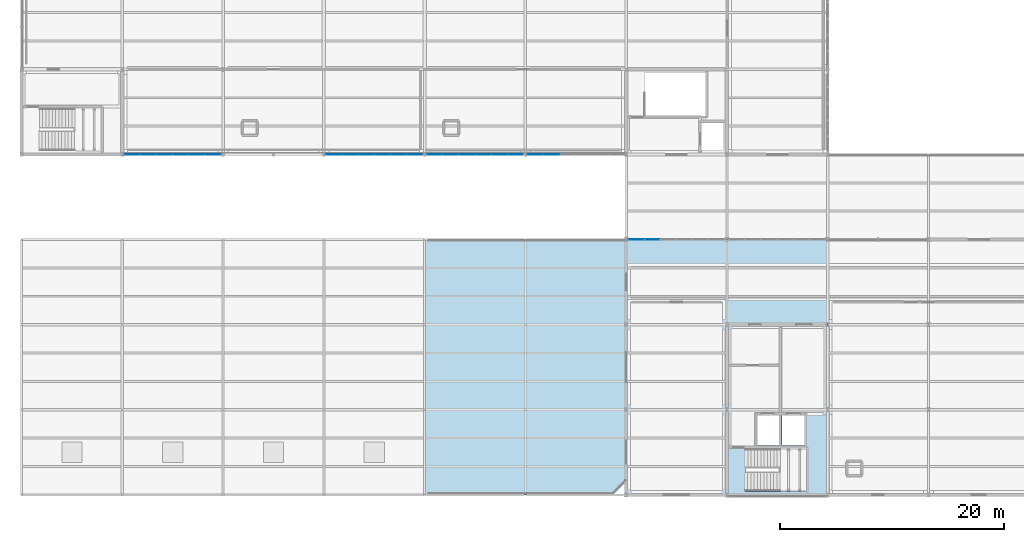
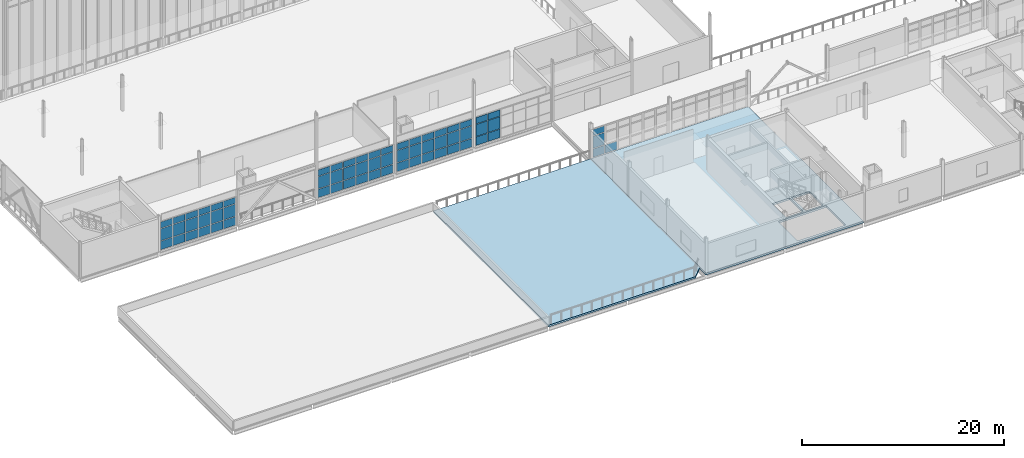
# One storey, part 123 of 166: 64 plates, 2 slabs, 5 elements without a shape of their own.
"""IFC4 building model written with IfcOpenShell, lengths in metres."""

from ifc_helpers import new_model, si_unit, direction, frame, origin, origin_2d, place, context, subcontext, project, spatial, polyline, rectangle, outline, extrude, material, layer, layer_set, type_object, element, aggregate, save


model = new_model("IFC4")

# Units and contexts
model_context = context("Model", 3, precision=1e-05, world=origin(), true_north=direction((0.0, 1.0)))
body_context = subcontext(model_context, "Body", "Model", "MODEL_VIEW")
ifc_project = project(units=[si_unit("LENGTHUNIT", "METRE"), si_unit("AREAUNIT", "SQUARE_METRE"), si_unit("VOLUMEUNIT", "CUBIC_METRE"), si_unit("PLANEANGLEUNIT", "RADIAN"), si_unit("MASSUNIT", "GRAM", prefix="KILO")], contexts=[model_context])

# Site, building, storey
site_placement = place(None, origin())
site = spatial("IfcSite", under=ifc_project, at=site_placement, CompositionType="ELEMENT")
building_placement = place(site_placement, origin())
building = spatial("IfcBuilding", under=site, at=building_placement, Name="Caisbarro Railhouse Central Library", CompositionType="ELEMENT")
storey_placement = place(building_placement, frame((0.0, 0.0, 9.360107421875)))
storey = spatial("IfcBuildingStorey", under=building, at=storey_placement, Name="L02", CompositionType="ELEMENT", Elevation=9.360107421875)

# Curtain wall, plates
ifc_material_1 = material(Name="Anodised architectural aluminium", Category="aluminium")
curtain_wall_type = type_object("IfcCurtainWallType", Name="CW-CW02", PredefinedType="NOTDEFINED", material=ifc_material_1)
curtain_wall_1_placement = place(storey_placement, origin())
curtain_wall_1 = element("IfcCurtainWall", 1, at=curtain_wall_1_placement, inside=storey, type_object=curtain_wall_type, Name="CW02 curtain wall L02 #58", PredefinedType="NOTDEFINED")
ifc_material_2 = material(Name="Double low-e laminated solar-control glass", Category="glass")
ifc_layer_1 = layer(ifc_material_2, 0.01806640625, Name="Double low-e laminated solar-control glass")
ifc_layer_set_1 = layer_set([ifc_layer_1], Name="Double low-e laminated solar-control glass")
plate_type_1 = type_object("IfcPlateType", Name="CWP-CP18", PredefinedType="CURTAIN_PANEL", material=ifc_layer_set_1)
plate_1_placement = place(storey_placement, frame((54.902099609375, 22.800048828125, 0.07470703125), z_axis=(0.0, 0.0, 1.0), x_axis=(1.0, 0.0, 0.0)))
plate_1 = element("IfcPlate", 2, at=plate_1_placement, type_object=plate_type_1, Name="CW02 panel 1.1", PredefinedType="CURTAIN_PANEL", context=body_context, shape_type="SweptSolid", body=[
    extrude(rectangle(XDim=1.334228515625, YDim=0.01806640625, at=origin_2d()), origin(), (0.0, 0.0, 1.0), 1.007568359375),
])
plate_2_placement = place(storey_placement, frame((54.902099609375, 22.800048828125, 1.1572265625), z_axis=(0.0, 0.0, 1.0), x_axis=(1.0, 0.0, 0.0)))
plate_2 = element("IfcPlate", 3, at=plate_2_placement, type_object=plate_type_1, Name="CW02 panel 1.2", PredefinedType="CURTAIN_PANEL", context=body_context, shape_type="SweptSolid", body=[
    extrude(rectangle(XDim=1.334228515625, YDim=0.01806640625, at=origin_2d()), origin(), (0.0, 0.0, 1.0), 1.465087890625),
])
plate_3_placement = place(storey_placement, frame((54.902099609375, 22.800048828125, 2.697265625), z_axis=(0.0, 0.0, 1.0), x_axis=(1.0, 0.0, 0.0)))
plate_3 = element("IfcPlate", 4, at=plate_3_placement, type_object=plate_type_1, Name="CW02 panel 1.3", PredefinedType="CURTAIN_PANEL", context=body_context, shape_type="SweptSolid", body=[
    extrude(rectangle(XDim=1.334228515625, YDim=0.01806640625, at=origin_2d()), origin(), (0.0, 0.0, 1.0), 0.737548828125),
])
plate_4_placement = place(storey_placement, frame((56.330078125, 22.800048828125, 0.07470703125), z_axis=(0.0, 0.0, 1.0), x_axis=(1.0, 0.0, 0.0)))
plate_4 = element("IfcPlate", 5, at=plate_4_placement, type_object=plate_type_1, Name="CW02 panel 2.1", PredefinedType="CURTAIN_PANEL", context=body_context, shape_type="SweptSolid", body=[
    extrude(rectangle(XDim=1.37158203125, YDim=0.01806640625, at=origin_2d()), origin(), (0.0, 0.0, 1.0), 1.007568359375),
])
aggregate(curtain_wall_1, [plate_1, plate_2, plate_3, plate_4])

curtain_wall_2_placement = place(storey_placement, origin())
curtain_wall_2 = element("IfcCurtainWall", 6, at=curtain_wall_2_placement, inside=storey, type_object=curtain_wall_type, Name="CW02 curtain wall L02 #44", PredefinedType="NOTDEFINED")
ifc_layer_2 = layer(ifc_material_2, 0.028076171875, Name="Double low-e laminated solar-control glass")
ifc_layer_set_2 = layer_set([ifc_layer_2], Name="Double low-e laminated solar-control glass")
plate_type_2 = type_object("IfcPlateType", Name="CWP-CP28", PredefinedType="CURTAIN_PANEL", material=ifc_layer_set_2)
plate_5_placement = place(storey_placement, frame((9.899658203125, 30.39990234375, 0.06494140625), z_axis=(0.0, 0.0, 1.0), x_axis=(1.0, 0.0, 0.0)))
plate_5 = element("IfcPlate", 7, at=plate_5_placement, type_object=plate_type_2, Name="CW02 panel 1.1", PredefinedType="CURTAIN_PANEL", context=body_context, shape_type="SweptSolid", body=[
    extrude(rectangle(XDim=1.34912109375, YDim=0.028076171875, at=origin_2d()), origin(), (0.0, 0.0, 1.0), 1.0224609375),
])
plate_6_placement = place(storey_placement, frame((9.899658203125, 30.39990234375, 1.15234375), z_axis=(0.0, 0.0, 1.0), x_axis=(1.0, 0.0, 0.0)))
plate_6 = element("IfcPlate", 8, at=plate_6_placement, type_object=plate_type_2, Name="CW02 panel 1.2", PredefinedType="CURTAIN_PANEL", context=body_context, shape_type="SweptSolid", body=[
    extrude(rectangle(XDim=1.34912109375, YDim=0.028076171875, at=origin_2d()), origin(), (0.0, 0.0, 1.0), 1.455078125),
])
plate_7_placement = place(storey_placement, frame((9.899658203125, 30.39990234375, 2.67236328125), z_axis=(0.0, 0.0, 1.0), x_axis=(1.0, 0.0, 0.0)))
plate_7 = element("IfcPlate", 9, at=plate_7_placement, type_object=plate_type_2, Name="CW02 panel 1.3", PredefinedType="CURTAIN_PANEL", context=body_context, shape_type="SweptSolid", body=[
    extrude(rectangle(XDim=1.34912109375, YDim=0.028076171875, at=origin_2d()), origin(), (0.0, 0.0, 1.0), 0.75244140625),
])
plate_8_placement = place(storey_placement, frame((11.330078125, 30.39990234375, 0.06494140625), z_axis=(0.0, 0.0, 1.0), x_axis=(1.0, 0.0, 0.0)))
plate_8 = element("IfcPlate", 10, at=plate_8_placement, type_object=plate_type_2, Name="CW02 panel 2.1", PredefinedType="CURTAIN_PANEL", context=body_context, shape_type="SweptSolid", body=[
    extrude(rectangle(XDim=1.381591796875, YDim=0.028076171875, at=origin_2d()), origin(), (0.0, 0.0, 1.0), 1.0224609375),
])
plate_9_placement = place(storey_placement, frame((11.330078125, 30.39990234375, 1.15234375), z_axis=(0.0, 0.0, 1.0), x_axis=(1.0, 0.0, 0.0)))
plate_9 = element("IfcPlate", 11, at=plate_9_placement, type_object=plate_type_2, Name="CW02 panel 2.2", PredefinedType="CURTAIN_PANEL", context=body_context, shape_type="SweptSolid", body=[
    extrude(rectangle(XDim=1.381591796875, YDim=0.028076171875, at=origin_2d()), origin(), (0.0, 0.0, 1.0), 1.455078125),
])
plate_10_placement = place(storey_placement, frame((11.330078125, 30.39990234375, 2.67236328125), z_axis=(0.0, 0.0, 1.0), x_axis=(1.0, 0.0, 0.0)))
plate_10 = element("IfcPlate", 12, at=plate_10_placement, type_object=plate_type_2, Name="CW02 panel 2.3", PredefinedType="CURTAIN_PANEL", context=body_context, shape_type="SweptSolid", body=[
    extrude(rectangle(XDim=1.381591796875, YDim=0.028076171875, at=origin_2d()), origin(), (0.0, 0.0, 1.0), 0.75244140625),
])
plate_11_placement = place(storey_placement, frame((12.776611328125, 30.39990234375, 0.06494140625), z_axis=(0.0, 0.0, 1.0), x_axis=(1.0, 0.0, 0.0)))
plate_11 = element("IfcPlate", 13, at=plate_11_placement, type_object=plate_type_2, Name="CW02 panel 3.1", PredefinedType="CURTAIN_PANEL", context=body_context, shape_type="SweptSolid", body=[
    extrude(rectangle(XDim=1.381591796875, YDim=0.028076171875, at=origin_2d()), origin(), (0.0, 0.0, 1.0), 1.0224609375),
])
plate_12_placement = place(storey_placement, frame((12.776611328125, 30.39990234375, 1.15234375), z_axis=(0.0, 0.0, 1.0), x_axis=(1.0, 0.0, 0.0)))
plate_12 = element("IfcPlate", 14, at=plate_12_placement, type_object=plate_type_2, Name="CW02 panel 3.2", PredefinedType="CURTAIN_PANEL", context=body_context, shape_type="SweptSolid", body=[
    extrude(rectangle(XDim=1.381591796875, YDim=0.028076171875, at=origin_2d()), origin(), (0.0, 0.0, 1.0), 1.455078125),
])
plate_13_placement = place(storey_placement, frame((12.776611328125, 30.39990234375, 2.67236328125), z_axis=(0.0, 0.0, 1.0), x_axis=(1.0, 0.0, 0.0)))
plate_13 = element("IfcPlate", 15, at=plate_13_placement, type_object=plate_type_2, Name="CW02 panel 3.3", PredefinedType="CURTAIN_PANEL", context=body_context, shape_type="SweptSolid", body=[
    extrude(rectangle(XDim=1.381591796875, YDim=0.028076171875, at=origin_2d()), origin(), (0.0, 0.0, 1.0), 0.75244140625),
])
plate_14_placement = place(storey_placement, frame((14.223388671875, 30.39990234375, 0.06494140625), z_axis=(0.0, 0.0, 1.0), x_axis=(1.0, 0.0, 0.0)))
plate_14 = element("IfcPlate", 16, at=plate_14_placement, type_object=plate_type_2, Name="CW02 panel 4.1", PredefinedType="CURTAIN_PANEL", context=body_context, shape_type="SweptSolid", body=[
    extrude(rectangle(XDim=1.381591796875, YDim=0.028076171875, at=origin_2d()), origin(), (0.0, 0.0, 1.0), 1.0224609375),
])
plate_15_placement = place(storey_placement, frame((14.223388671875, 30.39990234375, 1.15234375), z_axis=(0.0, 0.0, 1.0), x_axis=(1.0, 0.0, 0.0)))
plate_15 = element("IfcPlate", 17, at=plate_15_placement, type_object=plate_type_2, Name="CW02 panel 4.2", PredefinedType="CURTAIN_PANEL", context=body_context, shape_type="SweptSolid", body=[
    extrude(rectangle(XDim=1.381591796875, YDim=0.028076171875, at=origin_2d()), origin(), (0.0, 0.0, 1.0), 1.455078125),
])
plate_16_placement = place(storey_placement, frame((14.223388671875, 30.39990234375, 2.67236328125), z_axis=(0.0, 0.0, 1.0), x_axis=(1.0, 0.0, 0.0)))
plate_16 = element("IfcPlate", 18, at=plate_16_placement, type_object=plate_type_2, Name="CW02 panel 4.3", PredefinedType="CURTAIN_PANEL", context=body_context, shape_type="SweptSolid", body=[
    extrude(rectangle(XDim=1.381591796875, YDim=0.028076171875, at=origin_2d()), origin(), (0.0, 0.0, 1.0), 0.75244140625),
])
plate_17_placement = place(storey_placement, frame((15.669921875, 30.39990234375, 0.06494140625), z_axis=(0.0, 0.0, 1.0), x_axis=(1.0, 0.0, 0.0)))
plate_17 = element("IfcPlate", 19, at=plate_17_placement, type_object=plate_type_2, Name="CW02 panel 5.1", PredefinedType="CURTAIN_PANEL", context=body_context, shape_type="SweptSolid", body=[
    extrude(rectangle(XDim=1.381591796875, YDim=0.028076171875, at=origin_2d()), origin(), (0.0, 0.0, 1.0), 1.0224609375),
])
plate_18_placement = place(storey_placement, frame((15.669921875, 30.39990234375, 1.15234375), z_axis=(0.0, 0.0, 1.0), x_axis=(1.0, 0.0, 0.0)))
plate_18 = element("IfcPlate", 20, at=plate_18_placement, type_object=plate_type_2, Name="CW02 panel 5.2", PredefinedType="CURTAIN_PANEL", context=body_context, shape_type="SweptSolid", body=[
    extrude(rectangle(XDim=1.381591796875, YDim=0.028076171875, at=origin_2d()), origin(), (0.0, 0.0, 1.0), 1.455078125),
])
plate_19_placement = place(storey_placement, frame((15.669921875, 30.39990234375, 2.67236328125), z_axis=(0.0, 0.0, 1.0), x_axis=(1.0, 0.0, 0.0)))
plate_19 = element("IfcPlate", 21, at=plate_19_placement, type_object=plate_type_2, Name="CW02 panel 5.3", PredefinedType="CURTAIN_PANEL", context=body_context, shape_type="SweptSolid", body=[
    extrude(rectangle(XDim=1.381591796875, YDim=0.028076171875, at=origin_2d()), origin(), (0.0, 0.0, 1.0), 0.75244140625),
])
plate_20_placement = place(storey_placement, frame((17.100341796875, 30.39990234375, 0.06494140625), z_axis=(0.0, 0.0, 1.0), x_axis=(1.0, 0.0, 0.0)))
plate_20 = element("IfcPlate", 22, at=plate_20_placement, type_object=plate_type_2, Name="CW02 panel 6.1", PredefinedType="CURTAIN_PANEL", context=body_context, shape_type="SweptSolid", body=[
    extrude(rectangle(XDim=1.34912109375, YDim=0.028076171875, at=origin_2d()), origin(), (0.0, 0.0, 1.0), 1.0224609375),
])
plate_21_placement = place(storey_placement, frame((17.100341796875, 30.39990234375, 1.15234375), z_axis=(0.0, 0.0, 1.0), x_axis=(1.0, 0.0, 0.0)))
plate_21 = element("IfcPlate", 23, at=plate_21_placement, type_object=plate_type_2, Name="CW02 panel 6.2", PredefinedType="CURTAIN_PANEL", context=body_context, shape_type="SweptSolid", body=[
    extrude(rectangle(XDim=1.34912109375, YDim=0.028076171875, at=origin_2d()), origin(), (0.0, 0.0, 1.0), 1.455078125),
])
plate_22_placement = place(storey_placement, frame((17.100341796875, 30.39990234375, 2.67236328125), z_axis=(0.0, 0.0, 1.0), x_axis=(1.0, 0.0, 0.0)))
plate_22 = element("IfcPlate", 24, at=plate_22_placement, type_object=plate_type_2, Name="CW02 panel 6.3", PredefinedType="CURTAIN_PANEL", context=body_context, shape_type="SweptSolid", body=[
    extrude(rectangle(XDim=1.34912109375, YDim=0.028076171875, at=origin_2d()), origin(), (0.0, 0.0, 1.0), 0.75244140625),
])
aggregate(curtain_wall_2, [plate_5, plate_6, plate_7, plate_8, plate_9, plate_10, plate_11, plate_12, plate_13, plate_14, plate_15, plate_16, plate_17, plate_18, plate_19, plate_20, plate_21, plate_22])

curtain_wall_3_placement = place(storey_placement, origin())
curtain_wall_3 = element("IfcCurtainWall", 25, at=curtain_wall_3_placement, inside=storey, type_object=curtain_wall_type, Name="CW02 curtain wall L02 #45", PredefinedType="NOTDEFINED")
ifc_layer_3 = layer(ifc_material_2, 0.048095703125, Name="Double low-e laminated solar-control glass")
ifc_layer_set_3 = layer_set([ifc_layer_3], Name="Double low-e laminated solar-control glass")
plate_type_3 = type_object("IfcPlateType", Name="CWP-CP48", PredefinedType="CURTAIN_PANEL", material=ifc_layer_set_3)
plate_23_placement = place(storey_placement, frame((27.899658203125, 30.39990234375, 0.06494140625), z_axis=(0.0, 0.0, 1.0), x_axis=(1.0, 0.0, 0.0)))
plate_23 = element("IfcPlate", 26, at=plate_23_placement, type_object=plate_type_3, Name="CW02 panel 1.1", PredefinedType="CURTAIN_PANEL", context=body_context, shape_type="SweptSolid", body=[
    extrude(rectangle(XDim=1.34912109375, YDim=0.048095703125, at=origin_2d()), origin(), (0.0, 0.0, 1.0), 1.0224609375),
])
plate_24_placement = place(storey_placement, frame((27.899658203125, 30.39990234375, 1.15234375), z_axis=(0.0, 0.0, 1.0), x_axis=(1.0, 0.0, 0.0)))
plate_24 = element("IfcPlate", 27, at=plate_24_placement, type_object=plate_type_3, Name="CW02 panel 1.2", PredefinedType="CURTAIN_PANEL", context=body_context, shape_type="SweptSolid", body=[
    extrude(rectangle(XDim=1.34912109375, YDim=0.048095703125, at=origin_2d()), origin(), (0.0, 0.0, 1.0), 1.455078125),
])
plate_25_placement = place(storey_placement, frame((27.899658203125, 30.39990234375, 2.67236328125), z_axis=(0.0, 0.0, 1.0), x_axis=(1.0, 0.0, 0.0)))
plate_25 = element("IfcPlate", 28, at=plate_25_placement, type_object=plate_type_3, Name="CW02 panel 1.3", PredefinedType="CURTAIN_PANEL", context=body_context, shape_type="SweptSolid", body=[
    extrude(rectangle(XDim=1.34912109375, YDim=0.048095703125, at=origin_2d()), origin(), (0.0, 0.0, 1.0), 0.75244140625),
])
plate_26_placement = place(storey_placement, frame((29.330078125, 30.39990234375, 0.06494140625), z_axis=(0.0, 0.0, 1.0), x_axis=(1.0, 0.0, 0.0)))
plate_26 = element("IfcPlate", 29, at=plate_26_placement, type_object=plate_type_3, Name="CW02 panel 2.1", PredefinedType="CURTAIN_PANEL", context=body_context, shape_type="SweptSolid", body=[
    extrude(rectangle(XDim=1.381591796875, YDim=0.048095703125, at=origin_2d()), origin(), (0.0, 0.0, 1.0), 1.0224609375),
])
plate_27_placement = place(storey_placement, frame((29.330078125, 30.39990234375, 1.15234375), z_axis=(0.0, 0.0, 1.0), x_axis=(1.0, 0.0, 0.0)))
plate_27 = element("IfcPlate", 30, at=plate_27_placement, type_object=plate_type_3, Name="CW02 panel 2.2", PredefinedType="CURTAIN_PANEL", context=body_context, shape_type="SweptSolid", body=[
    extrude(rectangle(XDim=1.381591796875, YDim=0.048095703125, at=origin_2d()), origin(), (0.0, 0.0, 1.0), 1.455078125),
])
plate_28_placement = place(storey_placement, frame((29.330078125, 30.39990234375, 2.67236328125), z_axis=(0.0, 0.0, 1.0), x_axis=(1.0, 0.0, 0.0)))
plate_28 = element("IfcPlate", 31, at=plate_28_placement, type_object=plate_type_3, Name="CW02 panel 2.3", PredefinedType="CURTAIN_PANEL", context=body_context, shape_type="SweptSolid", body=[
    extrude(rectangle(XDim=1.381591796875, YDim=0.048095703125, at=origin_2d()), origin(), (0.0, 0.0, 1.0), 0.75244140625),
])
plate_29_placement = place(storey_placement, frame((30.776611328125, 30.39990234375, 0.06494140625), z_axis=(0.0, 0.0, 1.0), x_axis=(1.0, 0.0, 0.0)))
plate_29 = element("IfcPlate", 32, at=plate_29_placement, type_object=plate_type_3, Name="CW02 panel 3.1", PredefinedType="CURTAIN_PANEL", context=body_context, shape_type="SweptSolid", body=[
    extrude(rectangle(XDim=1.381591796875, YDim=0.048095703125, at=origin_2d()), origin(), (0.0, 0.0, 1.0), 1.0224609375),
])
plate_30_placement = place(storey_placement, frame((30.776611328125, 30.39990234375, 1.15234375), z_axis=(0.0, 0.0, 1.0), x_axis=(1.0, 0.0, 0.0)))
plate_30 = element("IfcPlate", 33, at=plate_30_placement, type_object=plate_type_3, Name="CW02 panel 3.2", PredefinedType="CURTAIN_PANEL", context=body_context, shape_type="SweptSolid", body=[
    extrude(rectangle(XDim=1.381591796875, YDim=0.048095703125, at=origin_2d()), origin(), (0.0, 0.0, 1.0), 1.455078125),
])
plate_31_placement = place(storey_placement, frame((30.776611328125, 30.39990234375, 2.67236328125), z_axis=(0.0, 0.0, 1.0), x_axis=(1.0, 0.0, 0.0)))
plate_31 = element("IfcPlate", 34, at=plate_31_placement, type_object=plate_type_3, Name="CW02 panel 3.3", PredefinedType="CURTAIN_PANEL", context=body_context, shape_type="SweptSolid", body=[
    extrude(rectangle(XDim=1.381591796875, YDim=0.048095703125, at=origin_2d()), origin(), (0.0, 0.0, 1.0), 0.75244140625),
])
plate_32_placement = place(storey_placement, frame((32.223388671875, 30.39990234375, 0.06494140625), z_axis=(0.0, 0.0, 1.0), x_axis=(1.0, 0.0, 0.0)))
plate_32 = element("IfcPlate", 35, at=plate_32_placement, type_object=plate_type_3, Name="CW02 panel 4.1", PredefinedType="CURTAIN_PANEL", context=body_context, shape_type="SweptSolid", body=[
    extrude(rectangle(XDim=1.381591796875, YDim=0.048095703125, at=origin_2d()), origin(), (0.0, 0.0, 1.0), 1.0224609375),
])
plate_33_placement = place(storey_placement, frame((32.223388671875, 30.39990234375, 1.15234375), z_axis=(0.0, 0.0, 1.0), x_axis=(1.0, 0.0, 0.0)))
plate_33 = element("IfcPlate", 36, at=plate_33_placement, type_object=plate_type_3, Name="CW02 panel 4.2", PredefinedType="CURTAIN_PANEL", context=body_context, shape_type="SweptSolid", body=[
    extrude(rectangle(XDim=1.381591796875, YDim=0.048095703125, at=origin_2d()), origin(), (0.0, 0.0, 1.0), 1.455078125),
])
plate_34_placement = place(storey_placement, frame((32.223388671875, 30.39990234375, 2.67236328125), z_axis=(0.0, 0.0, 1.0), x_axis=(1.0, 0.0, 0.0)))
plate_34 = element("IfcPlate", 37, at=plate_34_placement, type_object=plate_type_3, Name="CW02 panel 4.3", PredefinedType="CURTAIN_PANEL", context=body_context, shape_type="SweptSolid", body=[
    extrude(rectangle(XDim=1.381591796875, YDim=0.048095703125, at=origin_2d()), origin(), (0.0, 0.0, 1.0), 0.75244140625),
])
plate_35_placement = place(storey_placement, frame((33.669921875, 30.39990234375, 0.06494140625), z_axis=(0.0, 0.0, 1.0), x_axis=(1.0, 0.0, 0.0)))
plate_35 = element("IfcPlate", 38, at=plate_35_placement, type_object=plate_type_3, Name="CW02 panel 5.1", PredefinedType="CURTAIN_PANEL", context=body_context, shape_type="SweptSolid", body=[
    extrude(rectangle(XDim=1.381591796875, YDim=0.048095703125, at=origin_2d()), origin(), (0.0, 0.0, 1.0), 1.0224609375),
])
plate_36_placement = place(storey_placement, frame((33.669921875, 30.39990234375, 1.15234375), z_axis=(0.0, 0.0, 1.0), x_axis=(1.0, 0.0, 0.0)))
plate_36 = element("IfcPlate", 39, at=plate_36_placement, type_object=plate_type_3, Name="CW02 panel 5.2", PredefinedType="CURTAIN_PANEL", context=body_context, shape_type="SweptSolid", body=[
    extrude(rectangle(XDim=1.381591796875, YDim=0.048095703125, at=origin_2d()), origin(), (0.0, 0.0, 1.0), 1.455078125),
])
plate_37_placement = place(storey_placement, frame((33.669921875, 30.39990234375, 2.67236328125), z_axis=(0.0, 0.0, 1.0), x_axis=(1.0, 0.0, 0.0)))
plate_37 = element("IfcPlate", 40, at=plate_37_placement, type_object=plate_type_3, Name="CW02 panel 5.3", PredefinedType="CURTAIN_PANEL", context=body_context, shape_type="SweptSolid", body=[
    extrude(rectangle(XDim=1.381591796875, YDim=0.048095703125, at=origin_2d()), origin(), (0.0, 0.0, 1.0), 0.75244140625),
])
plate_38_placement = place(storey_placement, frame((35.100341796875, 30.39990234375, 0.06494140625), z_axis=(0.0, 0.0, 1.0), x_axis=(1.0, 0.0, 0.0)))
plate_38 = element("IfcPlate", 41, at=plate_38_placement, type_object=plate_type_3, Name="CW02 panel 6.1", PredefinedType="CURTAIN_PANEL", context=body_context, shape_type="SweptSolid", body=[
    extrude(rectangle(XDim=1.34912109375, YDim=0.048095703125, at=origin_2d()), origin(), (0.0, 0.0, 1.0), 1.0224609375),
])
plate_39_placement = place(storey_placement, frame((35.100341796875, 30.39990234375, 1.15234375), z_axis=(0.0, 0.0, 1.0), x_axis=(1.0, 0.0, 0.0)))
plate_39 = element("IfcPlate", 42, at=plate_39_placement, type_object=plate_type_3, Name="CW02 panel 6.2", PredefinedType="CURTAIN_PANEL", context=body_context, shape_type="SweptSolid", body=[
    extrude(rectangle(XDim=1.34912109375, YDim=0.048095703125, at=origin_2d()), origin(), (0.0, 0.0, 1.0), 1.455078125),
])
plate_40_placement = place(storey_placement, frame((35.100341796875, 30.39990234375, 2.67236328125), z_axis=(0.0, 0.0, 1.0), x_axis=(1.0, 0.0, 0.0)))
plate_40 = element("IfcPlate", 43, at=plate_40_placement, type_object=plate_type_3, Name="CW02 panel 6.3", PredefinedType="CURTAIN_PANEL", context=body_context, shape_type="SweptSolid", body=[
    extrude(rectangle(XDim=1.34912109375, YDim=0.048095703125, at=origin_2d()), origin(), (0.0, 0.0, 1.0), 0.75244140625),
])
aggregate(curtain_wall_3, [plate_23, plate_24, plate_25, plate_26, plate_27, plate_28, plate_29, plate_30, plate_31, plate_32, plate_33, plate_34, plate_35, plate_36, plate_37, plate_38, plate_39, plate_40])

curtain_wall_4_placement = place(storey_placement, origin())
curtain_wall_4 = element("IfcCurtainWall", 44, at=curtain_wall_4_placement, inside=storey, type_object=curtain_wall_type, Name="CW02 curtain wall L02 #46", PredefinedType="NOTDEFINED")
ifc_layer_4 = layer(ifc_material_2, 0.05810546875, Name="Double low-e laminated solar-control glass")
ifc_layer_set_4 = layer_set([ifc_layer_4], Name="Double low-e laminated solar-control glass")
plate_type_4 = type_object("IfcPlateType", Name="CWP-CP58", PredefinedType="CURTAIN_PANEL", material=ifc_layer_set_4)
plate_41_placement = place(storey_placement, frame((36.899658203125, 30.39990234375, 0.06494140625), z_axis=(0.0, 0.0, 1.0), x_axis=(1.0, 0.0, 0.0)))
plate_41 = element("IfcPlate", 45, at=plate_41_placement, type_object=plate_type_4, Name="CW02 panel 1.1", PredefinedType="CURTAIN_PANEL", context=body_context, shape_type="SweptSolid", body=[
    extrude(rectangle(XDim=1.34912109375, YDim=0.05810546875, at=origin_2d()), origin(), (0.0, 0.0, 1.0), 1.0224609375),
])
plate_42_placement = place(storey_placement, frame((36.899658203125, 30.39990234375, 1.15234375), z_axis=(0.0, 0.0, 1.0), x_axis=(1.0, 0.0, 0.0)))
plate_42 = element("IfcPlate", 46, at=plate_42_placement, type_object=plate_type_4, Name="CW02 panel 1.2", PredefinedType="CURTAIN_PANEL", context=body_context, shape_type="SweptSolid", body=[
    extrude(rectangle(XDim=1.34912109375, YDim=0.05810546875, at=origin_2d()), origin(), (0.0, 0.0, 1.0), 1.455078125),
])
plate_43_placement = place(storey_placement, frame((36.899658203125, 30.39990234375, 2.67236328125), z_axis=(0.0, 0.0, 1.0), x_axis=(1.0, 0.0, 0.0)))
plate_43 = element("IfcPlate", 47, at=plate_43_placement, type_object=plate_type_4, Name="CW02 panel 1.3", PredefinedType="CURTAIN_PANEL", context=body_context, shape_type="SweptSolid", body=[
    extrude(rectangle(XDim=1.34912109375, YDim=0.05810546875, at=origin_2d()), origin(), (0.0, 0.0, 1.0), 0.75244140625),
])
plate_44_placement = place(storey_placement, frame((38.330078125, 30.39990234375, 0.06494140625), z_axis=(0.0, 0.0, 1.0), x_axis=(1.0, 0.0, 0.0)))
plate_44 = element("IfcPlate", 48, at=plate_44_placement, type_object=plate_type_4, Name="CW02 panel 2.1", PredefinedType="CURTAIN_PANEL", context=body_context, shape_type="SweptSolid", body=[
    extrude(rectangle(XDim=1.381591796875, YDim=0.05810546875, at=origin_2d()), origin(), (0.0, 0.0, 1.0), 1.0224609375),
])
plate_45_placement = place(storey_placement, frame((38.330078125, 30.39990234375, 1.15234375), z_axis=(0.0, 0.0, 1.0), x_axis=(1.0, 0.0, 0.0)))
plate_45 = element("IfcPlate", 49, at=plate_45_placement, type_object=plate_type_4, Name="CW02 panel 2.2", PredefinedType="CURTAIN_PANEL", context=body_context, shape_type="SweptSolid", body=[
    extrude(rectangle(XDim=1.381591796875, YDim=0.05810546875, at=origin_2d()), origin(), (0.0, 0.0, 1.0), 1.455078125),
])
plate_46_placement = place(storey_placement, frame((38.330078125, 30.39990234375, 2.67236328125), z_axis=(0.0, 0.0, 1.0), x_axis=(1.0, 0.0, 0.0)))
plate_46 = element("IfcPlate", 50, at=plate_46_placement, type_object=plate_type_4, Name="CW02 panel 2.3", PredefinedType="CURTAIN_PANEL", context=body_context, shape_type="SweptSolid", body=[
    extrude(rectangle(XDim=1.381591796875, YDim=0.05810546875, at=origin_2d()), origin(), (0.0, 0.0, 1.0), 0.75244140625),
])
plate_47_placement = place(storey_placement, frame((39.776611328125, 30.39990234375, 0.06494140625), z_axis=(0.0, 0.0, 1.0), x_axis=(1.0, 0.0, 0.0)))
plate_47 = element("IfcPlate", 51, at=plate_47_placement, type_object=plate_type_4, Name="CW02 panel 3.1", PredefinedType="CURTAIN_PANEL", context=body_context, shape_type="SweptSolid", body=[
    extrude(rectangle(XDim=1.381591796875, YDim=0.05810546875, at=origin_2d()), origin(), (0.0, 0.0, 1.0), 1.0224609375),
])
plate_48_placement = place(storey_placement, frame((39.776611328125, 30.39990234375, 1.15234375), z_axis=(0.0, 0.0, 1.0), x_axis=(1.0, 0.0, 0.0)))
plate_48 = element("IfcPlate", 52, at=plate_48_placement, type_object=plate_type_4, Name="CW02 panel 3.2", PredefinedType="CURTAIN_PANEL", context=body_context, shape_type="SweptSolid", body=[
    extrude(rectangle(XDim=1.381591796875, YDim=0.05810546875, at=origin_2d()), origin(), (0.0, 0.0, 1.0), 1.455078125),
])
plate_49_placement = place(storey_placement, frame((39.776611328125, 30.39990234375, 2.67236328125), z_axis=(0.0, 0.0, 1.0), x_axis=(1.0, 0.0, 0.0)))
plate_49 = element("IfcPlate", 53, at=plate_49_placement, type_object=plate_type_4, Name="CW02 panel 3.3", PredefinedType="CURTAIN_PANEL", context=body_context, shape_type="SweptSolid", body=[
    extrude(rectangle(XDim=1.381591796875, YDim=0.05810546875, at=origin_2d()), origin(), (0.0, 0.0, 1.0), 0.75244140625),
])
plate_50_placement = place(storey_placement, frame((41.223388671875, 30.39990234375, 0.06494140625), z_axis=(0.0, 0.0, 1.0), x_axis=(1.0, 0.0, 0.0)))
plate_50 = element("IfcPlate", 54, at=plate_50_placement, type_object=plate_type_4, Name="CW02 panel 4.1", PredefinedType="CURTAIN_PANEL", context=body_context, shape_type="SweptSolid", body=[
    extrude(rectangle(XDim=1.381591796875, YDim=0.05810546875, at=origin_2d()), origin(), (0.0, 0.0, 1.0), 1.0224609375),
])
plate_51_placement = place(storey_placement, frame((41.223388671875, 30.39990234375, 1.15234375), z_axis=(0.0, 0.0, 1.0), x_axis=(1.0, 0.0, 0.0)))
plate_51 = element("IfcPlate", 55, at=plate_51_placement, type_object=plate_type_4, Name="CW02 panel 4.2", PredefinedType="CURTAIN_PANEL", context=body_context, shape_type="SweptSolid", body=[
    extrude(rectangle(XDim=1.381591796875, YDim=0.05810546875, at=origin_2d()), origin(), (0.0, 0.0, 1.0), 1.455078125),
])
plate_52_placement = place(storey_placement, frame((41.223388671875, 30.39990234375, 2.67236328125), z_axis=(0.0, 0.0, 1.0), x_axis=(1.0, 0.0, 0.0)))
plate_52 = element("IfcPlate", 56, at=plate_52_placement, type_object=plate_type_4, Name="CW02 panel 4.3", PredefinedType="CURTAIN_PANEL", context=body_context, shape_type="SweptSolid", body=[
    extrude(rectangle(XDim=1.381591796875, YDim=0.05810546875, at=origin_2d()), origin(), (0.0, 0.0, 1.0), 0.75244140625),
])
plate_53_placement = place(storey_placement, frame((42.669921875, 30.39990234375, 0.06494140625), z_axis=(0.0, 0.0, 1.0), x_axis=(1.0, 0.0, 0.0)))
plate_53 = element("IfcPlate", 57, at=plate_53_placement, type_object=plate_type_4, Name="CW02 panel 5.1", PredefinedType="CURTAIN_PANEL", context=body_context, shape_type="SweptSolid", body=[
    extrude(rectangle(XDim=1.381591796875, YDim=0.05810546875, at=origin_2d()), origin(), (0.0, 0.0, 1.0), 1.0224609375),
])
plate_54_placement = place(storey_placement, frame((42.669921875, 30.39990234375, 1.15234375), z_axis=(0.0, 0.0, 1.0), x_axis=(1.0, 0.0, 0.0)))
plate_54 = element("IfcPlate", 58, at=plate_54_placement, type_object=plate_type_4, Name="CW02 panel 5.2", PredefinedType="CURTAIN_PANEL", context=body_context, shape_type="SweptSolid", body=[
    extrude(rectangle(XDim=1.381591796875, YDim=0.05810546875, at=origin_2d()), origin(), (0.0, 0.0, 1.0), 1.455078125),
])
plate_55_placement = place(storey_placement, frame((42.669921875, 30.39990234375, 2.67236328125), z_axis=(0.0, 0.0, 1.0), x_axis=(1.0, 0.0, 0.0)))
plate_55 = element("IfcPlate", 59, at=plate_55_placement, type_object=plate_type_4, Name="CW02 panel 5.3", PredefinedType="CURTAIN_PANEL", context=body_context, shape_type="SweptSolid", body=[
    extrude(rectangle(XDim=1.381591796875, YDim=0.05810546875, at=origin_2d()), origin(), (0.0, 0.0, 1.0), 0.75244140625),
])
plate_56_placement = place(storey_placement, frame((44.100341796875, 30.39990234375, 0.06494140625), z_axis=(0.0, 0.0, 1.0), x_axis=(1.0, 0.0, 0.0)))
plate_56 = element("IfcPlate", 60, at=plate_56_placement, type_object=plate_type_4, Name="CW02 panel 6.1", PredefinedType="CURTAIN_PANEL", context=body_context, shape_type="SweptSolid", body=[
    extrude(rectangle(XDim=1.34912109375, YDim=0.05810546875, at=origin_2d()), origin(), (0.0, 0.0, 1.0), 1.0224609375),
])
plate_57_placement = place(storey_placement, frame((44.100341796875, 30.39990234375, 1.15234375), z_axis=(0.0, 0.0, 1.0), x_axis=(1.0, 0.0, 0.0)))
plate_57 = element("IfcPlate", 61, at=plate_57_placement, type_object=plate_type_4, Name="CW02 panel 6.2", PredefinedType="CURTAIN_PANEL", context=body_context, shape_type="SweptSolid", body=[
    extrude(rectangle(XDim=1.34912109375, YDim=0.05810546875, at=origin_2d()), origin(), (0.0, 0.0, 1.0), 1.455078125),
])
plate_58_placement = place(storey_placement, frame((44.100341796875, 30.39990234375, 2.67236328125), z_axis=(0.0, 0.0, 1.0), x_axis=(1.0, 0.0, 0.0)))
plate_58 = element("IfcPlate", 62, at=plate_58_placement, type_object=plate_type_4, Name="CW02 panel 6.3", PredefinedType="CURTAIN_PANEL", context=body_context, shape_type="SweptSolid", body=[
    extrude(rectangle(XDim=1.34912109375, YDim=0.05810546875, at=origin_2d()), origin(), (0.0, 0.0, 1.0), 0.75244140625),
])
aggregate(curtain_wall_4, [plate_41, plate_42, plate_43, plate_44, plate_45, plate_46, plate_47, plate_48, plate_49, plate_50, plate_51, plate_52, plate_53, plate_54, plate_55, plate_56, plate_57, plate_58])

curtain_wall_5_placement = place(storey_placement, origin())
curtain_wall_5 = element("IfcCurtainWall", 63, at=curtain_wall_5_placement, inside=storey, type_object=curtain_wall_type, Name="CW02 curtain wall L02 #47", PredefinedType="NOTDEFINED")
ifc_layer_5 = layer(ifc_material_2, 0.068115234375, Name="Double low-e laminated solar-control glass")
ifc_layer_set_5 = layer_set([ifc_layer_5], Name="Double low-e laminated solar-control glass")
plate_type_5 = type_object("IfcPlateType", Name="CWP-CP68", PredefinedType="CURTAIN_PANEL", material=ifc_layer_set_5)
plate_59_placement = place(storey_placement, frame((45.899658203125, 30.39990234375, 0.06494140625), z_axis=(0.0, 0.0, 1.0), x_axis=(1.0, 0.0, 0.0)))
plate_59 = element("IfcPlate", 64, at=plate_59_placement, type_object=plate_type_5, Name="CW02 panel 1.1", PredefinedType="CURTAIN_PANEL", context=body_context, shape_type="SweptSolid", body=[
    extrude(rectangle(XDim=1.34912109375, YDim=0.068115234375, at=origin_2d()), origin(), (0.0, 0.0, 1.0), 1.0224609375),
])
plate_60_placement = place(storey_placement, frame((45.899658203125, 30.39990234375, 1.15234375), z_axis=(0.0, 0.0, 1.0), x_axis=(1.0, 0.0, 0.0)))
plate_60 = element("IfcPlate", 65, at=plate_60_placement, type_object=plate_type_5, Name="CW02 panel 1.2", PredefinedType="CURTAIN_PANEL", context=body_context, shape_type="SweptSolid", body=[
    extrude(rectangle(XDim=1.34912109375, YDim=0.068115234375, at=origin_2d()), origin(), (0.0, 0.0, 1.0), 1.455078125),
])
plate_61_placement = place(storey_placement, frame((45.899658203125, 30.39990234375, 2.67236328125), z_axis=(0.0, 0.0, 1.0), x_axis=(1.0, 0.0, 0.0)))
plate_61 = element("IfcPlate", 66, at=plate_61_placement, type_object=plate_type_5, Name="CW02 panel 1.3", PredefinedType="CURTAIN_PANEL", context=body_context, shape_type="SweptSolid", body=[
    extrude(rectangle(XDim=1.34912109375, YDim=0.068115234375, at=origin_2d()), origin(), (0.0, 0.0, 1.0), 0.75244140625),
])
plate_62_placement = place(storey_placement, frame((47.330078125, 30.39990234375, 0.06494140625), z_axis=(0.0, 0.0, 1.0), x_axis=(1.0, 0.0, 0.0)))
plate_62 = element("IfcPlate", 67, at=plate_62_placement, type_object=plate_type_5, Name="CW02 panel 2.1", PredefinedType="CURTAIN_PANEL", context=body_context, shape_type="SweptSolid", body=[
    extrude(rectangle(XDim=1.381591796875, YDim=0.068115234375, at=origin_2d()), origin(), (0.0, 0.0, 1.0), 1.0224609375),
])
plate_63_placement = place(storey_placement, frame((47.330078125, 30.39990234375, 1.15234375), z_axis=(0.0, 0.0, 1.0), x_axis=(1.0, 0.0, 0.0)))
plate_63 = element("IfcPlate", 68, at=plate_63_placement, type_object=plate_type_5, Name="CW02 panel 2.2", PredefinedType="CURTAIN_PANEL", context=body_context, shape_type="SweptSolid", body=[
    extrude(rectangle(XDim=1.381591796875, YDim=0.068115234375, at=origin_2d()), origin(), (0.0, 0.0, 1.0), 1.455078125),
])
plate_64_placement = place(storey_placement, frame((47.330078125, 30.39990234375, 2.67236328125), z_axis=(0.0, 0.0, 1.0), x_axis=(1.0, 0.0, 0.0)))
plate_64 = element("IfcPlate", 69, at=plate_64_placement, type_object=plate_type_5, Name="CW02 panel 2.3", PredefinedType="CURTAIN_PANEL", context=body_context, shape_type="SweptSolid", body=[
    extrude(rectangle(XDim=1.381591796875, YDim=0.068115234375, at=origin_2d()), origin(), (0.0, 0.0, 1.0), 0.75244140625),
])
aggregate(curtain_wall_5, [plate_59, plate_60, plate_61, plate_62, plate_63, plate_64])

# Slabs
ifc_material_3 = material(Name="Concrete C35", Category="concrete")
ifc_layer_6 = layer(ifc_material_3, 0.239990234375, Name="Concrete C35")
ifc_layer_set_6 = layer_set([ifc_layer_6], Name="Concrete C35")
slab_type_1 = type_object("IfcSlabType", Name="SLB-FL24", PredefinedType="FLOOR", material=ifc_layer_set_6)
slab_1_placement = place(storey_placement, frame((0.0, 0.0, -0.239990234375)))
element("IfcSlab", 70, at=slab_1_placement, inside=storey, type_object=slab_type_1, Name="SF24 structural slab L02 V5.1", PredefinedType="FLOOR", context=body_context, shape_type="SweptSolid", body=[
    extrude(outline(polyline([(54.0, 0.0), (72.0, 0.0), (72.0, 22.800048828125), (54.0, 22.800048828125), (54.0, 0.0)]), holes=[polyline([(64.64990234375, 0.300048828125), (70.14990234375, 0.300048828125), (70.14990234375, 4.14990234375), (64.64990234375, 4.14990234375), (64.64990234375, 0.300048828125)]), polyline([(65.699951171875, 4.39990234375), (67.64990234375, 4.39990234375), (67.64990234375, 7.10009765625), (65.699951171875, 7.10009765625), (65.699951171875, 4.39990234375)]), polyline([(67.89990234375, 4.39990234375), (69.949951171875, 4.39990234375), (69.949951171875, 7.10009765625), (67.89990234375, 7.10009765625), (67.89990234375, 4.39990234375)])]), origin(), (0.0, 0.0, 1.0), 0.239990234375),
])
ifc_layer_7 = layer(ifc_material_3, 0.2099609375, Name="Concrete C35")
ifc_layer_set_7 = layer_set([ifc_layer_7], Name="Concrete C35")
slab_type_2 = type_object("IfcSlabType", Name="SLB-TR21", PredefinedType="FLOOR", material=ifc_layer_set_7)
slab_2_placement = place(storey_placement, frame((0.0, 0.0, -0.210205078125)))
element("IfcSlab", 71, at=slab_2_placement, inside=storey, type_object=slab_type_2, Name="Outdoor Reading Terrace Slab TR-L02-W", PredefinedType="FLOOR", context=body_context, shape_type="SweptSolid", body=[
    extrude(outline(polyline([(36.0, 0.0), (52.800048828125, 0.0), (54.0, 1.199951171875), (54.0, 22.800048828125), (36.0, 22.800048828125), (36.0, 0.0)])), origin(), (0.0, 0.0, 1.0), 0.210205078125),
])

save(model, "model.ifc")
